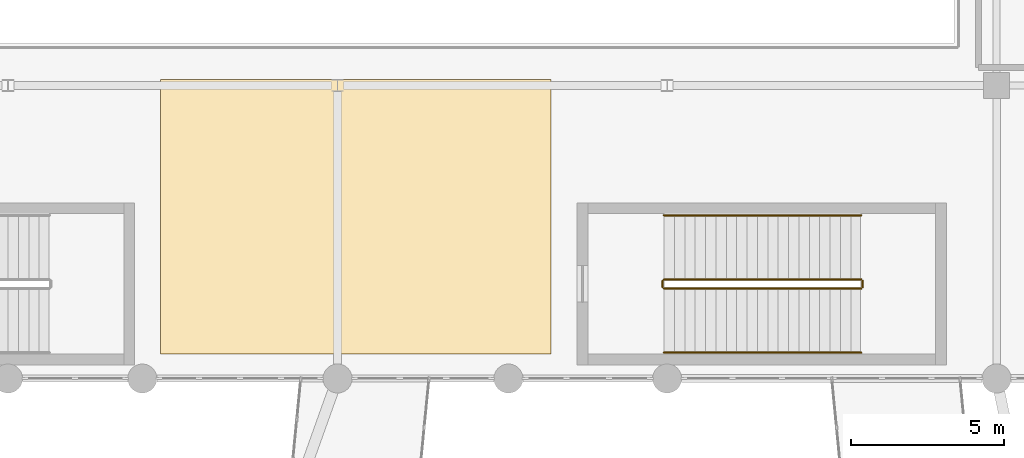
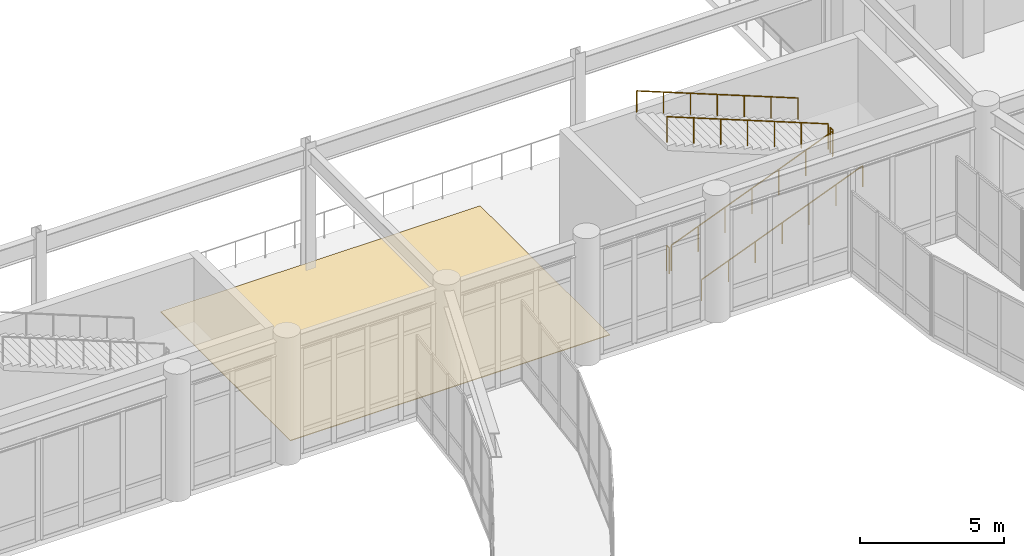
# One storey, part 68 of 72: 6 railings, 1 covering.
"""IFC4 building model written with IfcOpenShell, lengths in metres."""

import ifcopenshell
import ifcopenshell.guid

model = None  # the IFC model being written
_history = None  # IfcOwnerHistory: only IFC2X3 demands one
_inside = {}  # id of a spatial element -> (the spatial element, [elements in it])
_under = {}  # id of a project, library or spatial element -> (it, [spatial elements below it])
_declared = {}  # id of a project -> (the project, [libraries it declares])
_typed = {}  # id of a type object -> (the type object, [elements of that type])
_made_of = {}  # id of a material, layer set ... -> (it, [elements and type objects made of it])


def new_model(schema):
    """Start an empty IFC model of exactly this schema.

    Asked for "IFC4X3", IfcOpenShell would pick the latest addendum, in which some entities
    have other attributes; the version numbers below select the first issue.
    IFC2X3 requires an IfcOwnerHistory on every rooted entity: one is made here for all.
    """
    global model, _history
    if schema == "IFC4X3":
        model = ifcopenshell.file(schema_version=(4, 3, 0, 0))
    else:
        model = ifcopenshell.file(schema=schema)
    _inside.clear()
    _under.clear()
    _declared.clear()
    _typed.clear()
    _made_of.clear()
    _history = None
    if model.schema == "IFC2X3":
        org = make("IfcOrganization", Name="unknown")
        user = make(
            "IfcPersonAndOrganization",
            ThePerson=make("IfcPerson", FamilyName="unknown"),
            TheOrganization=org,
        )
        app = make(
            "IfcApplication",
            ApplicationDeveloper=org,
            Version="unknown",
            ApplicationFullName="unknown",
            ApplicationIdentifier="unknown",
        )
        _history = make(
            "IfcOwnerHistory",
            OwningUser=user,
            OwningApplication=app,
            ChangeAction="ADDED",
            CreationDate=0,
        )
    return model


def make(cls, **values):
    """One entity of the class cls with the attributes given. An attribute that is None is left unset."""
    return model.create_entity(
        cls, **{name: value for name, value in values.items() if value is not None}
    )


def rooted(cls, **values):
    """An entity with a GlobalId (a new one), such as an element, a storey or a relation."""
    return make(cls, GlobalId=ifcopenshell.guid.new(), OwnerHistory=_history, **values)


def si_unit(unit_type, name, prefix=None):
    """IfcSIUnit, for example si_unit("LENGTHUNIT", "METRE", prefix="MILLI")."""
    return make("IfcSIUnit", UnitType=unit_type, Prefix=prefix, Name=name)


def assignment(units):
    """IfcUnitAssignment: the units of a project."""
    return None if units is None else make("IfcUnitAssignment", Units=units)


def point(xyz):
    """IfcCartesianPoint."""
    return None if xyz is None else make("IfcCartesianPoint", Coordinates=xyz)


def direction(xyz):
    """IfcDirection."""
    return None if xyz is None else make("IfcDirection", DirectionRatios=xyz)


def frame(location, z_axis=None, x_axis=None):
    """IfcAxis2Placement3D, a coordinate frame: its origin and axes. An axis left out is left unset."""
    return make(
        "IfcAxis2Placement3D",
        Location=point(location),
        Axis=direction(z_axis),
        RefDirection=direction(x_axis),
    )


def frame_2d(location, x_axis=None):
    """IfcAxis2Placement2D, a coordinate frame in the plane: its origin and x axis."""
    return make(
        "IfcAxis2Placement2D", Location=point(location), RefDirection=direction(x_axis)
    )


def origin():
    """The frame at (0, 0, 0) with its axes left unset."""
    return frame((0.0, 0.0, 0.0))


def origin_2d():
    """The frame at (0, 0) in the plane with its x axis left unset."""
    return frame_2d((0.0, 0.0))


def place(relative_to, where):
    """IfcLocalPlacement: puts the frame where relative to a parent placement (None: the world)."""
    return make(
        "IfcLocalPlacement", PlacementRelTo=relative_to, RelativePlacement=where
    )


def context(
    kind, dimensions, precision=None, world=None, true_north=None, identifier=None
):
    """IfcGeometricRepresentationContext, for example the 3D "Model" context."""
    return make(
        "IfcGeometricRepresentationContext",
        ContextIdentifier=identifier,
        ContextType=kind,
        CoordinateSpaceDimension=dimensions,
        Precision=precision,
        WorldCoordinateSystem=world,
        TrueNorth=true_north,
    )


def subcontext(parent, identifier, kind, view, scale=None):
    """IfcGeometricRepresentationSubContext, for example "Body" below "Model"."""
    return make(
        "IfcGeometricRepresentationSubContext",
        ContextIdentifier=identifier,
        ContextType=kind,
        ParentContext=parent,
        TargetScale=scale,
        TargetView=view,
    )


def project(units=None, contexts=None):
    """IfcProject with its units and contexts."""
    return rooted(
        "IfcProject",
        Name="project",
        RepresentationContexts=contexts,
        UnitsInContext=assignment(units),
    )


def spatial(cls, under=None, at=None, **own):
    """A site, building, storey or space (cls), placed at a placement, below another one or the project."""
    s = rooted(cls, ObjectPlacement=at, **own)
    if under is not None:
        _under.setdefault(under.id(), (under, []))[1].append(s)
    return s


def polyline(points):
    """IfcPolyline through the points."""
    return make("IfcPolyline", Points=[point(p) for p in points])


def profile(cls, at=None, kind="AREA", **sizes):
    """A parametric profile (cls). Its sizes go by their IFC names, for example OverallWidth=200.0."""
    return make(cls, ProfileType=kind, Position=at, **sizes)


def circle(**sizes):
    """IfcCircleProfileDef."""
    return profile("IfcCircleProfileDef", **sizes)


def outline(outer, holes=None, kind="AREA"):
    """IfcArbitraryClosedProfileDef: a profile drawn as a closed curve; with holes, ...WithVoids."""
    if holes is None:
        return make("IfcArbitraryClosedProfileDef", ProfileType=kind, OuterCurve=outer)
    return make(
        "IfcArbitraryProfileDefWithVoids",
        ProfileType=kind,
        OuterCurve=outer,
        InnerCurves=holes,
    )


def extrude(swept, where, along, depth):
    """IfcExtrudedAreaSolid: the profile swept, set in the frame where, extruded along a direction by depth."""
    return make(
        "IfcExtrudedAreaSolid",
        SweptArea=swept,
        Position=where,
        ExtrudedDirection=direction(along),
        Depth=depth,
    )


def shape(context_of_items, identifier, shape_type, items):
    """IfcShapeRepresentation: the items that make up one representation, for example the "Body"."""
    return make(
        "IfcShapeRepresentation",
        ContextOfItems=context_of_items,
        RepresentationIdentifier=identifier,
        RepresentationType=shape_type,
        Items=items,
    )


def material(Name=None, Category=None):
    """IfcMaterial."""
    return make("IfcMaterial", Name=Name, Category=Category)


def layer(
    of_material, thickness, ventilated=None, Name=None, Category=None, Priority=None
):
    """IfcMaterialLayer: one layer of a wall or slab, of a material (None: an air gap)."""
    return make(
        "IfcMaterialLayer",
        Material=of_material,
        LayerThickness=thickness,
        IsVentilated=ventilated,
        Name=Name,
        Category=Category,
        Priority=Priority,
    )


def layer_set(layers, Name=None):
    """IfcMaterialLayerSet."""
    return make("IfcMaterialLayerSet", MaterialLayers=layers, LayerSetName=Name)


def made_of(thing, what):
    """Note that an element or type object is made of a material, layer set ...; save() writes the relation."""
    if what is not None:
        _made_of.setdefault(what.id(), (what, []))[1].append(thing)
    return thing


def type_object(cls, material=None, **own):
    """A type object (cls), such as IfcWallType, which elements share."""
    return made_of(rooted(cls, **own), material)


def element(
    cls,
    number,
    at=None,
    inside=None,
    cuts=None,
    type_object=None,
    material=None,
    context=None,
    identifier="Body",
    shape_type=None,
    held_by="IfcProductDefinitionShape",
    body=None,
    shapes=None,
    **own,
):
    """One element of the class cls, such as IfcWall. Its Tag is "e" and its number.

    at: its placement. inside: the storey or other place that contains it. cuts: it is an
    opening in that element (IfcRelVoidsElement). A single representation is given by context,
    identifier, shape_type and body (its items); several are given by shapes. held_by: the class
    of the entity that holds the representations. save() writes the other relations.
    """
    e = rooted(cls, Tag="e%d" % number, ObjectPlacement=at, **own)
    if body is not None:
        shapes = [shape(context, identifier, shape_type, body)]
    if shapes is not None:
        e.Representation = make(held_by, Representations=shapes)
    if inside is not None:
        _inside.setdefault(inside.id(), (inside, []))[1].append(e)
    if cuts is not None:
        rooted(
            "IfcRelVoidsElement", RelatingBuildingElement=cuts, RelatedOpeningElement=e
        )
    if type_object is not None:
        _typed.setdefault(type_object.id(), (type_object, []))[1].append(e)
    return made_of(e, material)


def aggregate(whole, parts):
    """IfcRelAggregates: a whole, such as a stair, and the parts it consists of."""
    return rooted("IfcRelAggregates", RelatingObject=whole, RelatedObjects=parts)


def save(model, path):
    """Write the relations noted so far, then the file.

    IfcRelAggregates (storeys below a building ...), IfcRelContainedInSpatialStructure (elements
    in a storey), IfcRelDefinesByType, IfcRelAssociatesMaterial and IfcRelDeclares: one each for
    every whole, place, type object, material and project.
    """
    for whole, parts in _under.values():
        aggregate(whole, parts)
    for where, things in _inside.values():
        rooted(
            "IfcRelContainedInSpatialStructure",
            RelatedElements=things,
            RelatingStructure=where,
        )
    for kind, things in _typed.values():
        rooted("IfcRelDefinesByType", RelatedObjects=things, RelatingType=kind)
    for what, things in _made_of.values():
        rooted("IfcRelAssociatesMaterial", RelatedObjects=things, RelatingMaterial=what)
    for by, libraries in _declared.values():
        rooted("IfcRelDeclares", RelatingContext=by, RelatedDefinitions=libraries)
    model.write(path)


model = new_model("IFC4")

# Units and contexts
model_context = context("Model", 3, precision=1e-05, world=origin(), true_north=direction((0.0, 1.0)))
body_context = subcontext(model_context, "Body", "Model", "MODEL_VIEW")
ifc_project = project(units=[si_unit("LENGTHUNIT", "METRE"), si_unit("AREAUNIT", "SQUARE_METRE"), si_unit("VOLUMEUNIT", "CUBIC_METRE"), si_unit("PLANEANGLEUNIT", "RADIAN"), si_unit("MASSUNIT", "GRAM", prefix="KILO")], contexts=[model_context])

# Site, building, storey
site_placement = place(None, origin())
site = spatial("IfcSite", under=ifc_project, at=site_placement, CompositionType="ELEMENT")
building_placement = place(site_placement, origin())
building = spatial("IfcBuilding", under=site, at=building_placement, Name="Veldera Park Congress Hotel", CompositionType="ELEMENT")
storey_placement = place(building_placement, frame((0.0, 0.0, 5.39990234375)))
storey = spatial("IfcBuildingStorey", under=building, at=storey_placement, Name="L01", CompositionType="ELEMENT", Elevation=5.39990234375)

# Covering
ifc_material_1 = material(Name="Polished Sonoran Aggregate Terrazzo", Category="concrete")
ifc_layer = layer(ifc_material_1, 0.030029296875)
ifc_layer_set = layer_set([ifc_layer], Name="Polished Sonoran Aggregate Terrazzo")
covering_type = type_object("IfcCoveringType", Name="COV-FLR-TRZ", PredefinedType="FLOORING", material=ifc_layer_set)
covering_placement = place(storey_placement, origin())
element("IfcCovering", 1, at=covering_placement, inside=storey, type_object=covering_type, Name="Ballroom Gallery Terrazzo Flooring", PredefinedType="FLOORING", context=body_context, shape_type="SweptSolid", body=[
    extrude(outline(polyline([(14.199951171875, 18.199951171875), (27.0, 18.199951171875), (27.0, 27.199951171875), (14.199951171875, 27.199951171875), (14.199951171875, 18.199951171875)])), origin(), (0.0, 0.0, 1.0), 0.030029296875),
])

# Railings
ifc_material_2 = material(Name="Steel ASTM A992 Gr.50", Category="steel")
railing_type_1 = type_object("IfcRailingType", Name="GRD-ST110", PredefinedType="GUARDRAIL", material=ifc_material_2)
railing_1_placement = place(storey_placement, frame((30.699951171875, 20.35009765625, 0.135009765625)))
element("IfcRailing", 2, at=railing_1_placement, inside=storey, type_object=railing_type_1, Name="L01 ST7 stair guard 1", PredefinedType="GUARDRAIL", context=body_context, shape_type="SweptSolid", body=[
    extrude(circle(Radius=0.02392578125, at=origin_2d()), frame((0.0, 0.0, 1.076171875), z_axis=(0.929406391584, 0.0, 0.369057934859), x_axis=(0.0, 1.0, 0.0)), (0.0, 0.0, 1.0), 6.95068359375),
    extrude(circle(Radius=0.02099609375, at=origin_2d()), origin(), (0.0, 0.0, 1.0), 1.052001953125),
    extrude(circle(Radius=0.02099609375, at=origin_2d()), frame((1.07666015625, 0.0, 0.427490234375)), (0.0, 0.0, 1.0), 1.052001953125),
    extrude(circle(Radius=0.02099609375, at=origin_2d()), frame((2.1533203125, 0.0, 0.85498046875)), (0.0, 0.0, 1.0), 1.052001953125),
    extrude(circle(Radius=0.02099609375, at=origin_2d()), frame((3.22998046875, 0.0, 1.28271484375)), (0.0, 0.0, 1.0), 1.052001953125),
    extrude(circle(Radius=0.02099609375, at=origin_2d()), frame((4.306640625, 0.0, 1.710205078125)), (0.0, 0.0, 1.0), 1.052001953125),
    extrude(circle(Radius=0.02099609375, at=origin_2d()), frame((5.38330078125, 0.0, 2.1376953125)), (0.0, 0.0, 1.0), 1.052001953125),
    extrude(circle(Radius=0.02099609375, at=origin_2d()), frame((6.4599609375, 0.0, 2.565185546875)), (0.0, 0.0, 1.0), 1.052001953125),
])
railing_2_placement = place(storey_placement, frame((37.2099609375, 20.39990234375, 2.7001953125)))
element("IfcRailing", 3, at=railing_2_placement, inside=storey, type_object=railing_type_1, Name="L01 ST7 stair guard 2", PredefinedType="GUARDRAIL", context=body_context, shape_type="SweptSolid", body=[
    extrude(circle(Radius=0.02392578125, at=origin_2d()), frame((0.0, 0.0, 1.076171875), z_axis=(0.0, 1.0, 0.0), x_axis=(-1.0, 0.0, 0.0)), (0.0, 0.0, 1.0), 0.2001953125),
    extrude(circle(Radius=0.02099609375, at=origin_2d()), origin(), (0.0, 0.0, 1.0), 1.052001953125),
    extrude(circle(Radius=0.02099609375, at=origin_2d()), frame((0.0, 0.2001953125, 0.0)), (0.0, 0.0, 1.0), 1.052001953125),
])
railing_3_placement = place(storey_placement, frame((37.159912109375, 20.64990234375, 2.835205078125)))
element("IfcRailing", 4, at=railing_3_placement, inside=storey, type_object=railing_type_1, Name="L01 ST7 stair guard 3", PredefinedType="GUARDRAIL", context=body_context, shape_type="SweptSolid", body=[
    extrude(circle(Radius=0.02392578125, at=origin_2d()), frame((0.0, 0.0, 1.076171875), z_axis=(-0.929418439274, 0.0, 0.369027593462), x_axis=(0.0, -1.0, 0.0)), (0.0, 0.0, 1.0), 6.950439453125),
    extrude(circle(Radius=0.02099609375, at=origin_2d()), origin(), (0.0, 0.0, 1.0), 1.052001953125),
    extrude(circle(Radius=0.02099609375, at=origin_2d()), frame((-1.07666015625, 0.0, 0.427490234375)), (0.0, 0.0, 1.0), 1.052001953125),
    extrude(circle(Radius=0.02099609375, at=origin_2d()), frame((-2.1533203125, 0.0, 0.85498046875)), (0.0, 0.0, 1.0), 1.052001953125),
    extrude(circle(Radius=0.02099609375, at=origin_2d()), frame((-3.22998046875, 0.0, 1.282470703125)), (0.0, 0.0, 1.0), 1.052001953125),
    extrude(circle(Radius=0.02099609375, at=origin_2d()), frame((-4.306640625, 0.0, 1.7099609375)), (0.0, 0.0, 1.0), 1.052001953125),
    extrude(circle(Radius=0.02099609375, at=origin_2d()), frame((-5.38330078125, 0.0, 2.137451171875)), (0.0, 0.0, 1.0), 1.052001953125),
    extrude(circle(Radius=0.02099609375, at=origin_2d()), frame((-6.4599609375, 0.0, 2.56494140625)), (0.0, 0.0, 1.0), 1.052001953125),
])
railing_4_placement = place(storey_placement, frame((30.64990234375, 20.39990234375, 0.0)))
element("IfcRailing", 5, at=railing_4_placement, inside=storey, type_object=railing_type_1, Name="L01 ST7 stair guard 4", PredefinedType="GUARDRAIL", context=body_context, shape_type="SweptSolid", body=[
    extrude(circle(Radius=0.02392578125, at=origin_2d()), frame((0.0, 0.0, 1.076171875), z_axis=(0.0, 1.0, 0.0), x_axis=(-1.0, 0.0, 0.0)), (0.0, 0.0, 1.0), 0.2001953125),
    extrude(circle(Radius=0.02099609375, at=origin_2d()), origin(), (0.0, 0.0, 1.0), 1.052001953125),
    extrude(circle(Radius=0.02099609375, at=origin_2d()), frame((0.0, 0.2001953125, 0.0)), (0.0, 0.0, 1.0), 1.052001953125),
])
railing_type_2 = type_object("IfcRailingType", Name="HRL-920", PredefinedType="HANDRAIL", material=ifc_material_2)
railing_5_placement = place(storey_placement, frame((30.699951171875, 18.25, 0.135009765625)))
element("IfcRailing", 6, at=railing_5_placement, inside=storey, type_object=railing_type_2, Name="L01 ST7 stair handrail 1", PredefinedType="HANDRAIL", context=body_context, shape_type="SweptSolid", body=[
    extrude(circle(Radius=0.02392578125, at=origin_2d()), frame((0.0, 0.0, 0.89599609375), z_axis=(0.929406391584, 0.0, 0.369057934859), x_axis=(0.0, 1.0, 0.0)), (0.0, 0.0, 1.0), 6.95068359375),
    extrude(circle(Radius=0.02099609375, at=origin_2d()), origin(), (0.0, 0.0, 1.0), 0.871826171875),
    extrude(circle(Radius=0.02099609375, at=origin_2d()), frame((1.07666015625, 0.0, 0.427490234375)), (0.0, 0.0, 1.0), 0.871826171875),
    extrude(circle(Radius=0.02099609375, at=origin_2d()), frame((2.1533203125, 0.0, 0.85498046875)), (0.0, 0.0, 1.0), 0.871826171875),
    extrude(circle(Radius=0.02099609375, at=origin_2d()), frame((3.22998046875, 0.0, 1.28271484375)), (0.0, 0.0, 1.0), 0.871826171875),
    extrude(circle(Radius=0.02099609375, at=origin_2d()), frame((4.306640625, 0.0, 1.710205078125)), (0.0, 0.0, 1.0), 0.871826171875),
    extrude(circle(Radius=0.02099609375, at=origin_2d()), frame((5.38330078125, 0.0, 2.1376953125)), (0.0, 0.0, 1.0), 0.871826171875),
    extrude(circle(Radius=0.02099609375, at=origin_2d()), frame((6.4599609375, 0.0, 2.565185546875)), (0.0, 0.0, 1.0), 0.871826171875),
])
railing_6_placement = place(storey_placement, frame((37.159912109375, 22.75, 2.835205078125)))
element("IfcRailing", 7, at=railing_6_placement, inside=storey, type_object=railing_type_2, Name="L01 ST7 stair handrail 2", PredefinedType="HANDRAIL", context=body_context, shape_type="SweptSolid", body=[
    extrude(circle(Radius=0.02392578125, at=origin_2d()), frame((0.0, 0.0, 0.89599609375), z_axis=(-0.929418439274, 0.0, 0.369027593462), x_axis=(0.0, -1.0, 0.0)), (0.0, 0.0, 1.0), 6.950439453125),
    extrude(circle(Radius=0.02099609375, at=origin_2d()), origin(), (0.0, 0.0, 1.0), 0.871826171875),
    extrude(circle(Radius=0.02099609375, at=origin_2d()), frame((-1.07666015625, 0.0, 0.427490234375)), (0.0, 0.0, 1.0), 0.871826171875),
    extrude(circle(Radius=0.02099609375, at=origin_2d()), frame((-2.1533203125, 0.0, 0.85498046875)), (0.0, 0.0, 1.0), 0.871826171875),
    extrude(circle(Radius=0.02099609375, at=origin_2d()), frame((-3.22998046875, 0.0, 1.282470703125)), (0.0, 0.0, 1.0), 0.871826171875),
    extrude(circle(Radius=0.02099609375, at=origin_2d()), frame((-4.306640625, 0.0, 1.7099609375)), (0.0, 0.0, 1.0), 0.871826171875),
    extrude(circle(Radius=0.02099609375, at=origin_2d()), frame((-5.38330078125, 0.0, 2.137451171875)), (0.0, 0.0, 1.0), 0.871826171875),
    extrude(circle(Radius=0.02099609375, at=origin_2d()), frame((-6.4599609375, 0.0, 2.56494140625)), (0.0, 0.0, 1.0), 0.871826171875),
])

save(model, "model.ifc")
